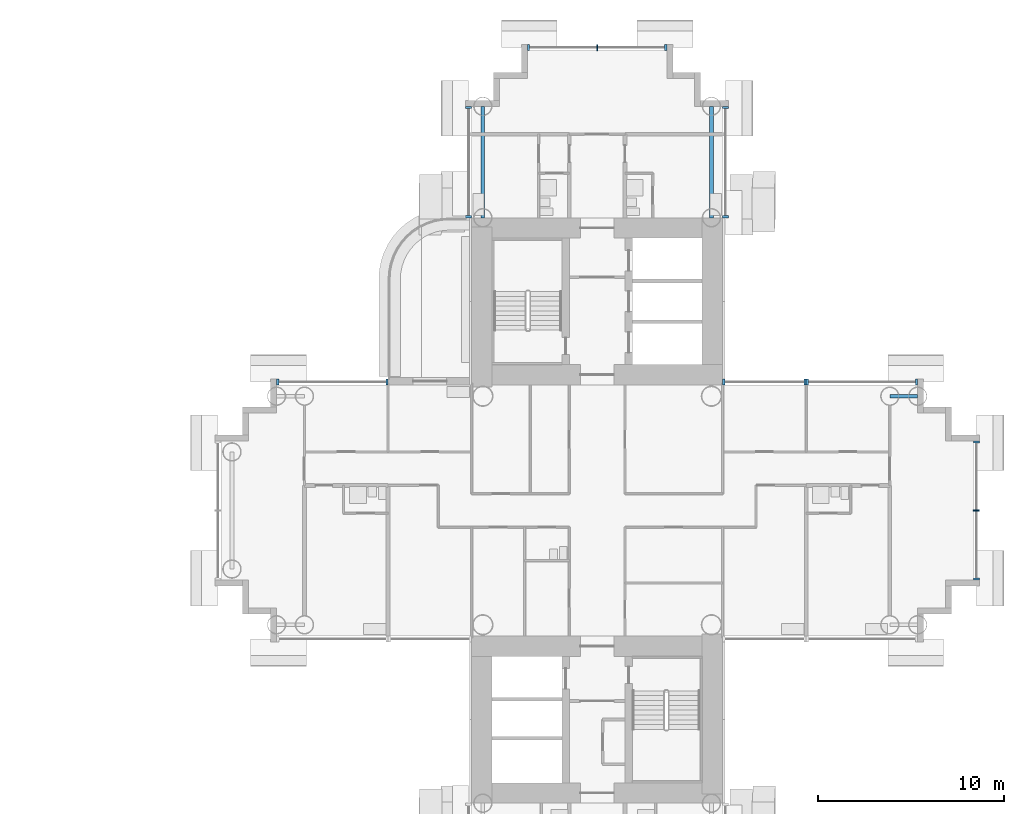
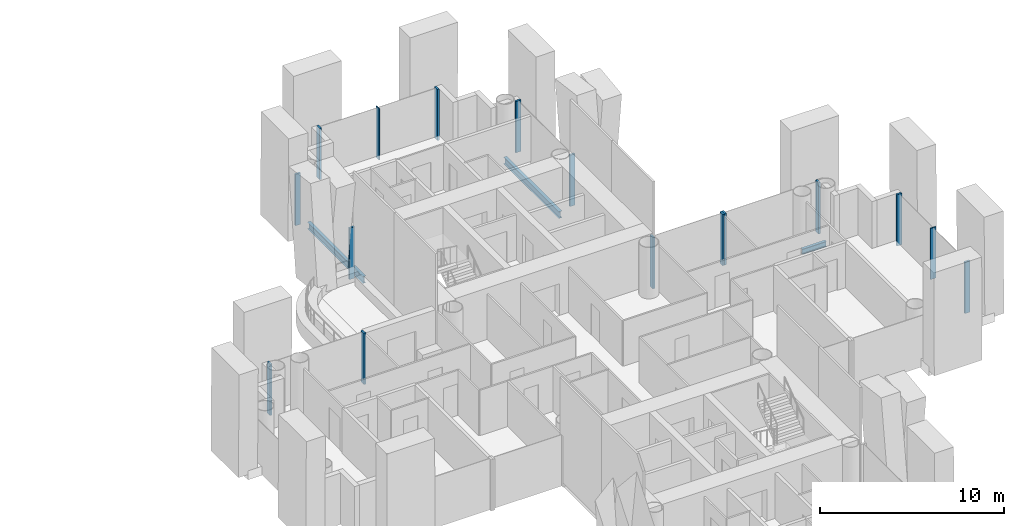
# One storey, part 7 of 23: 16 members, 3 beams, 7 elements without a shape of their own.
"""IFC4 building model written with IfcOpenShell, lengths in metres."""

from ifc_helpers import new_model, si_unit, direction, frame, origin, origin_2d, place, context, subcontext, project, spatial, rectangle, i_section, extrude, material, layer, layer_set, material_profile, profile_set, type_object, element, aggregate, save


model = new_model("IFC4")

# Units and contexts
model_context = context("Model", 3, precision=1e-05, world=origin(), true_north=direction((0.0, 1.0)))
body_context = subcontext(model_context, "Body", "Model", "MODEL_VIEW")
ifc_project = project(units=[si_unit("LENGTHUNIT", "METRE"), si_unit("AREAUNIT", "SQUARE_METRE"), si_unit("VOLUMEUNIT", "CUBIC_METRE"), si_unit("PLANEANGLEUNIT", "RADIAN"), si_unit("MASSUNIT", "GRAM", prefix="KILO")], contexts=[model_context])

# Site, building, storey
site_placement = place(None, origin())
site = spatial("IfcSite", under=ifc_project, at=site_placement, CompositionType="ELEMENT")
building_placement = place(site_placement, origin())
building = spatial("IfcBuilding", under=site, at=building_placement, Name="Ipe Terrace Towers", CompositionType="ELEMENT")
storey_placement = place(building_placement, frame((0.0, 0.0, 44.89990234375)))
storey = spatial("IfcBuildingStorey", under=building, at=storey_placement, Name="L11", CompositionType="ELEMENT", Elevation=44.89990234375)

# Beams
ifc_material_1 = material(Name="Steel S355", Category="steel")
ifc_material_profile_1 = material_profile(ifc_material_1, i_section(OverallWidth=0.175048828125, OverallDepth=0.35009765625, WebThickness=0.007080078125, FlangeThickness=0.010986328125, at=origin_2d()), Name="H-350x175x7x11")
ifc_profile_set_1 = profile_set([ifc_material_profile_1], Name="Steel S355")
beam_type_1 = type_object("IfcBeamType", Name="H04 EDGE BEAM H-350x175x7x11", PredefinedType="BEAM", material=ifc_profile_set_1)
beam_placement = place(storey_placement, frame((51.75, 6.14990234375, -0.574951171875), z_axis=(1.0, 0.0, 0.0), x_axis=(0.0, 1.0, 0.0)))
element("IfcBeam", 1, at=beam_placement, inside=storey, type_object=beam_type_1, Name="Edge beam T2-EB-D04-D06", PredefinedType="BEAM", context=body_context, shape_type="SweptSolid", body=[
    extrude(i_section(OverallWidth=0.175048828125, OverallDepth=0.35009765625, WebThickness=0.007080078125, FlangeThickness=0.010986328125, at=origin_2d()), origin(), (0.0, 0.0, 1.0), 1.5),
])
ifc_material_2 = material(Name="Steel S355", Category="steel")
ifc_material_profile_2 = material_profile(ifc_material_2, i_section(OverallWidth=0.199951171875, OverallDepth=0.449951171875, WebThickness=0.009033203125, FlangeThickness=0.013916015625, at=origin_2d()), Name="H-450x200x9x14")
ifc_profile_set_2 = profile_set([ifc_material_profile_2], Name="Steel S355")
beam_type_2 = type_object("IfcBeamType", Name="H08 EDGE BEAM H-450x200x9x14", PredefinedType="BEAM", material=ifc_profile_set_2)
for number, where, z_axis, x_axis, name in (
    (2, (42.14990234375, 15.75, -0.625), (0.0, 1.0, 0.0), (-1.0, 0.0, 0.0), "Edge beam T2-EB-A01-A03"),
    (3, (29.85009765625, 15.75, -0.625), (0.0, 1.0, 0.0), (-1.0, 0.0, 0.0), "Edge beam T2-EB-A02-A04"),
):
    element("IfcBeam", number, at=place(storey_placement, frame(where, z_axis=z_axis, x_axis=x_axis)), inside=storey, type_object=beam_type_2, Name=name, PredefinedType="BEAM", context=body_context, shape_type="SweptSolid", body=[
        extrude(i_section(OverallWidth=0.199951171875, OverallDepth=0.449951171875, WebThickness=0.009033203125, FlangeThickness=0.013916015625, at=origin_2d()), origin(), (0.0, 0.0, 1.0), 6.0),
    ])

# Curtain wall, members
ifc_material_3 = material(Name="Aluminium alloy 6063-T6", Category="aluminium")
ifc_layer = layer(ifc_material_3, 0.320068359375)
ifc_layer_set = layer_set([ifc_layer], Name="TOWER UNITISED CURTAIN WALL")
curtain_wall_type = type_object("IfcCurtainWallType", Name="TOWER UNITISED CURTAIN WALL", PredefinedType="NOTDEFINED", material=ifc_layer_set)
curtain_wall_1_placement = place(storey_placement, origin())
curtain_wall_1 = element("IfcCurtainWall", 4, at=curtain_wall_1_placement, inside=storey, type_object=curtain_wall_type, Name="T2-CW-L11-12a curtain wall", PredefinedType="NOTDEFINED")
ifc_material_4 = material(Name="Aluminium alloy 6063-T6", Category="aluminium")
ifc_material_profile_3 = material_profile(ifc_material_4, rectangle(XDim=0.320068359375, YDim=0.1201171875, at=origin_2d()), Name="TOWER UNITISED CORNER MULLION 320 x 120")
ifc_profile_set_3 = profile_set([ifc_material_profile_3], Name="Aluminium alloy 6063-T6")
member_type_1 = type_object("IfcMemberType", Name="TOWER UNITISED CORNER MULLION 320 x 120", PredefinedType="MULLION", material=ifc_profile_set_3)
member_1_placement = place(storey_placement, frame((56.409912109375, -3.68994140625, -0.2998046875), z_axis=(0.0, 0.0, 1.0), x_axis=(1.0, 0.0, 0.0)))
member_1 = element("IfcMember", 5, at=member_1_placement, type_object=member_type_1, Name="T2-CW-L11-12a mullion 1", PredefinedType="MULLION", context=body_context, shape_type="SweptSolid", body=[
    extrude(rectangle(XDim=0.320068359375, YDim=0.1201171875, at=origin_2d()), origin(), (0.0, 0.0, 1.0), 3.39990234375),
])
member_2_placement = place(storey_placement, frame((56.409912109375, 3.68994140625, -0.2998046875), z_axis=(0.0, 0.0, 1.0), x_axis=(1.0, 0.0, 0.0)))
member_2 = element("IfcMember", 6, at=member_2_placement, type_object=member_type_1, Name="T2-CW-L11-12a mullion 3", PredefinedType="MULLION", context=body_context, shape_type="SweptSolid", body=[
    extrude(rectangle(XDim=0.320068359375, YDim=0.1201171875, at=origin_2d()), origin(), (0.0, 0.0, 1.0), 3.39990234375),
])

curtain_wall_2_placement = place(storey_placement, origin())
curtain_wall_2 = element("IfcCurtainWall", 7, at=curtain_wall_2_placement, inside=storey, type_object=curtain_wall_type, Name="T2-CW-L11-17a curtain wall", PredefinedType="NOTDEFINED")
member_3_placement = place(storey_placement, frame((53.18994140625, 6.909912109375, -0.2998046875), z_axis=(0.0, 0.0, 1.0), x_axis=(0.0, 1.0, 0.0)))
member_3 = element("IfcMember", 8, at=member_3_placement, type_object=member_type_1, Name="T2-CW-L11-17a mullion 1", PredefinedType="MULLION", context=body_context, shape_type="SweptSolid", body=[
    extrude(rectangle(XDim=0.320068359375, YDim=0.1201171875, at=origin_2d()), origin(), (0.0, 0.0, 1.0), 3.39990234375),
])
member_4_placement = place(storey_placement, frame((47.31005859375, 6.909912109375, -0.2998046875), z_axis=(0.0, 0.0, 1.0), x_axis=(0.0, 1.0, 0.0)))
member_4 = element("IfcMember", 9, at=member_4_placement, type_object=member_type_1, Name="T2-CW-L11-17a mullion 2", PredefinedType="MULLION", context=body_context, shape_type="SweptSolid", body=[
    extrude(rectangle(XDim=0.320068359375, YDim=0.1201171875, at=origin_2d()), origin(), (0.0, 0.0, 1.0), 3.39990234375),
])
aggregate(curtain_wall_2, [member_3, member_4])

curtain_wall_3_placement = place(storey_placement, origin())
curtain_wall_3 = element("IfcCurtainWall", 10, at=curtain_wall_3_placement, inside=storey, type_object=curtain_wall_type, Name="T2-CW-L11-18a curtain wall", PredefinedType="NOTDEFINED")
member_5_placement = place(storey_placement, frame((47.18994140625, 6.909912109375, -0.2998046875), z_axis=(0.0, 0.0, 1.0), x_axis=(0.0, 1.0, 0.0)))
member_5 = element("IfcMember", 11, at=member_5_placement, type_object=member_type_1, Name="T2-CW-L11-18a mullion 1", PredefinedType="MULLION", context=body_context, shape_type="SweptSolid", body=[
    extrude(rectangle(XDim=0.320068359375, YDim=0.1201171875, at=origin_2d()), origin(), (0.0, 0.0, 1.0), 3.39990234375),
])
member_6_placement = place(storey_placement, frame((42.81005859375, 6.909912109375, -0.2998046875), z_axis=(0.0, 0.0, 1.0), x_axis=(0.0, 1.0, 0.0)))
member_6 = element("IfcMember", 12, at=member_6_placement, type_object=member_type_1, Name="T2-CW-L11-18a mullion 2", PredefinedType="MULLION", context=body_context, shape_type="SweptSolid", body=[
    extrude(rectangle(XDim=0.320068359375, YDim=0.1201171875, at=origin_2d()), origin(), (0.0, 0.0, 1.0), 3.39990234375),
])
aggregate(curtain_wall_3, [member_5, member_6])

curtain_wall_4_placement = place(storey_placement, origin())
curtain_wall_4 = element("IfcCurtainWall", 13, at=curtain_wall_4_placement, inside=storey, type_object=curtain_wall_type, Name="T2-CW-L11-20b curtain wall", PredefinedType="NOTDEFINED")
member_7_placement = place(storey_placement, frame((42.909912109375, 15.81103515625, -0.2998046875), z_axis=(0.0, 0.0, 1.0), x_axis=(1.0, 0.0, 0.0)))
member_7 = element("IfcMember", 14, at=member_7_placement, type_object=member_type_1, Name="T2-CW-L11-20b mullion 1", PredefinedType="MULLION", context=body_context, shape_type="SweptSolid", body=[
    extrude(rectangle(XDim=0.320068359375, YDim=0.1201171875, at=origin_2d()), origin(), (0.0, 0.0, 1.0), 3.39990234375),
])
member_8_placement = place(storey_placement, frame((42.909912109375, 21.68994140625, -0.2998046875), z_axis=(0.0, 0.0, 1.0), x_axis=(1.0, 0.0, 0.0)))
member_8 = element("IfcMember", 15, at=member_8_placement, type_object=member_type_1, Name="T2-CW-L11-20b mullion 2", PredefinedType="MULLION", context=body_context, shape_type="SweptSolid", body=[
    extrude(rectangle(XDim=0.320068359375, YDim=0.1201171875, at=origin_2d()), origin(), (0.0, 0.0, 1.0), 3.39990234375),
])
aggregate(curtain_wall_4, [member_7, member_8])

curtain_wall_5_placement = place(storey_placement, origin())
curtain_wall_5 = element("IfcCurtainWall", 16, at=curtain_wall_5_placement, inside=storey, type_object=curtain_wall_type, Name="T2-CW-L11-25a curtain wall", PredefinedType="NOTDEFINED")
member_9_placement = place(storey_placement, frame((39.68994140625, 24.909912109375, -0.2998046875), z_axis=(0.0, 0.0, 1.0), x_axis=(0.0, 1.0, 0.0)))
member_9 = element("IfcMember", 17, at=member_9_placement, type_object=member_type_1, Name="T2-CW-L11-25a mullion 1", PredefinedType="MULLION", context=body_context, shape_type="SweptSolid", body=[
    extrude(rectangle(XDim=0.320068359375, YDim=0.1201171875, at=origin_2d()), origin(), (0.0, 0.0, 1.0), 3.39990234375),
])
member_10_placement = place(storey_placement, frame((32.31005859375, 24.909912109375, -0.2998046875), z_axis=(0.0, 0.0, 1.0), x_axis=(0.0, 1.0, 0.0)))
member_10 = element("IfcMember", 18, at=member_10_placement, type_object=member_type_1, Name="T2-CW-L11-25a mullion 3", PredefinedType="MULLION", context=body_context, shape_type="SweptSolid", body=[
    extrude(rectangle(XDim=0.320068359375, YDim=0.1201171875, at=origin_2d()), origin(), (0.0, 0.0, 1.0), 3.39990234375),
])

curtain_wall_6_placement = place(storey_placement, origin())
curtain_wall_6 = element("IfcCurtainWall", 19, at=curtain_wall_6_placement, inside=storey, type_object=curtain_wall_type, Name="T2-CW-L11-30a curtain wall", PredefinedType="NOTDEFINED")
member_11_placement = place(storey_placement, frame((29.090087890625, 21.68994140625, -0.2998046875), z_axis=(0.0, 0.0, 1.0), x_axis=(-1.0, 0.0, 0.0)))
member_11 = element("IfcMember", 20, at=member_11_placement, type_object=member_type_1, Name="T2-CW-L11-30a mullion 1", PredefinedType="MULLION", context=body_context, shape_type="SweptSolid", body=[
    extrude(rectangle(XDim=0.320068359375, YDim=0.1201171875, at=origin_2d()), origin(), (0.0, 0.0, 1.0), 3.39990234375),
])
member_12_placement = place(storey_placement, frame((29.090087890625, 15.81103515625, -0.2998046875), z_axis=(0.0, 0.0, 1.0), x_axis=(-1.0, 0.0, 0.0)))
member_12 = element("IfcMember", 21, at=member_12_placement, type_object=member_type_1, Name="T2-CW-L11-30a mullion 2", PredefinedType="MULLION", context=body_context, shape_type="SweptSolid", body=[
    extrude(rectangle(XDim=0.320068359375, YDim=0.1201171875, at=origin_2d()), origin(), (0.0, 0.0, 1.0), 3.39990234375),
])
aggregate(curtain_wall_6, [member_11, member_12])

curtain_wall_7_placement = place(storey_placement, origin())
curtain_wall_7 = element("IfcCurtainWall", 22, at=curtain_wall_7_placement, inside=storey, type_object=curtain_wall_type, Name="T2-CW-L11-33a curtain wall", PredefinedType="NOTDEFINED")
member_13_placement = place(storey_placement, frame((24.68994140625, 6.909912109375, -0.2998046875), z_axis=(0.0, 0.0, 1.0), x_axis=(0.0, 1.0, 0.0)))
member_13 = element("IfcMember", 23, at=member_13_placement, type_object=member_type_1, Name="T2-CW-L11-33a mullion 1", PredefinedType="MULLION", context=body_context, shape_type="SweptSolid", body=[
    extrude(rectangle(XDim=0.320068359375, YDim=0.1201171875, at=origin_2d()), origin(), (0.0, 0.0, 1.0), 3.39990234375),
])
member_14_placement = place(storey_placement, frame((18.81005859375, 6.909912109375, -0.2998046875), z_axis=(0.0, 0.0, 1.0), x_axis=(0.0, 1.0, 0.0)))
member_14 = element("IfcMember", 24, at=member_14_placement, type_object=member_type_1, Name="T2-CW-L11-33a mullion 2", PredefinedType="MULLION", context=body_context, shape_type="SweptSolid", body=[
    extrude(rectangle(XDim=0.320068359375, YDim=0.1201171875, at=origin_2d()), origin(), (0.0, 0.0, 1.0), 3.39990234375),
])
aggregate(curtain_wall_7, [member_13, member_14])

# Member
ifc_material_5 = material(Name="Aluminium alloy 6063-T6", Category="aluminium")
ifc_material_profile_4 = material_profile(ifc_material_5, rectangle(XDim=0.320068359375, YDim=0.06494140625, at=origin_2d()), Name="TOWER UNITISED MULLION 320 x 65")
ifc_profile_set_4 = profile_set([ifc_material_profile_4], Name="Aluminium alloy 6063-T6")
member_type_2 = type_object("IfcMemberType", Name="TOWER UNITISED MULLION 320 x 65", PredefinedType="MULLION", material=ifc_profile_set_4)
member_15_placement = place(storey_placement, frame((56.409912109375, 0.0, -0.2998046875), z_axis=(0.0, 0.0, 1.0), x_axis=(1.0, 0.0, 0.0)))
member_15 = element("IfcMember", 25, at=member_15_placement, type_object=member_type_2, Name="T2-CW-L11-12a mullion 2", PredefinedType="MULLION", context=body_context, shape_type="SweptSolid", body=[
    extrude(rectangle(XDim=0.320068359375, YDim=0.06494140625, at=origin_2d()), origin(), (0.0, 0.0, 1.0), 3.39990234375),
])

aggregate(curtain_wall_1, [member_1, member_15, member_2])

member_16_placement = place(storey_placement, frame((36.0, 24.909912109375, -0.2998046875), z_axis=(0.0, 0.0, 1.0), x_axis=(0.0, 1.0, 0.0)))
member_16 = element("IfcMember", 26, at=member_16_placement, type_object=member_type_2, Name="T2-CW-L11-25a mullion 2", PredefinedType="MULLION", context=body_context, shape_type="SweptSolid", body=[
    extrude(rectangle(XDim=0.320068359375, YDim=0.06494140625, at=origin_2d()), origin(), (0.0, 0.0, 1.0), 3.39990234375),
])

aggregate(curtain_wall_5, [member_9, member_16, member_10])

save(model, "model.ifc")
